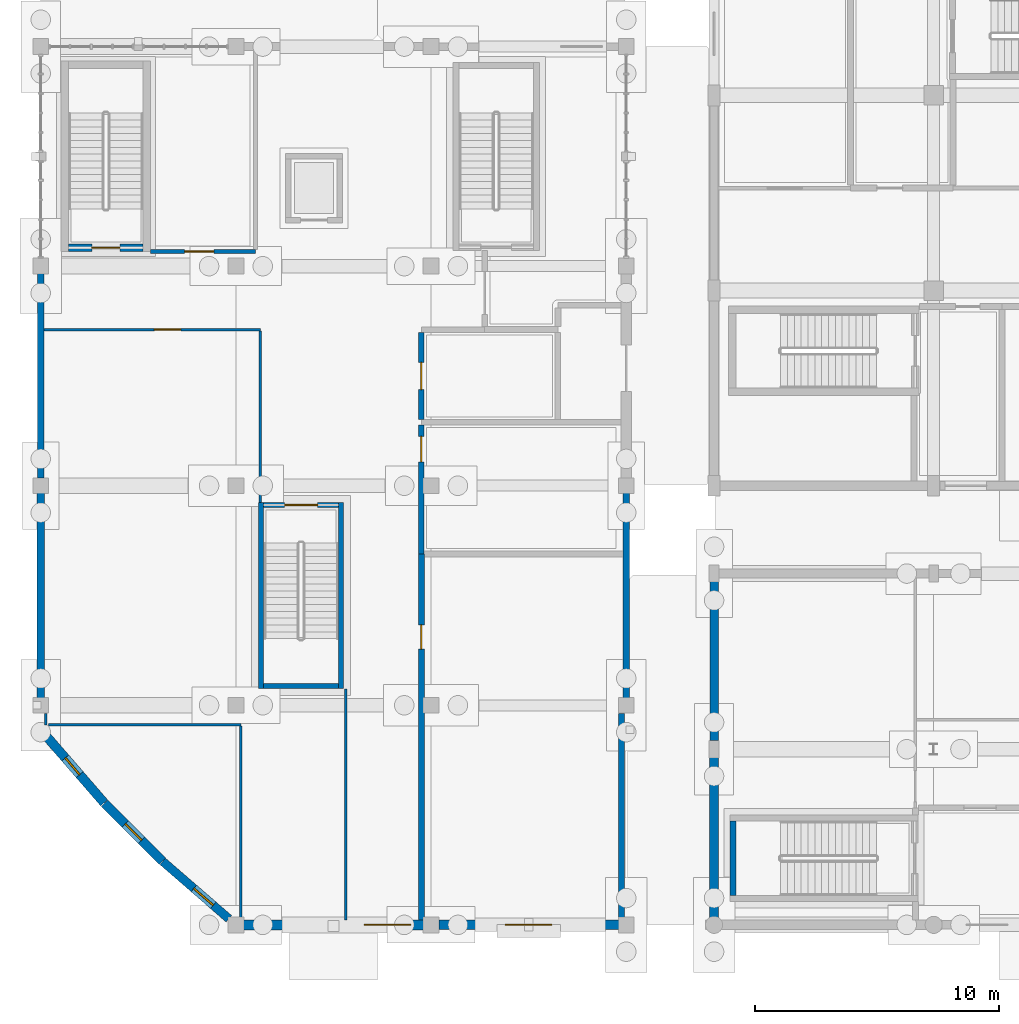
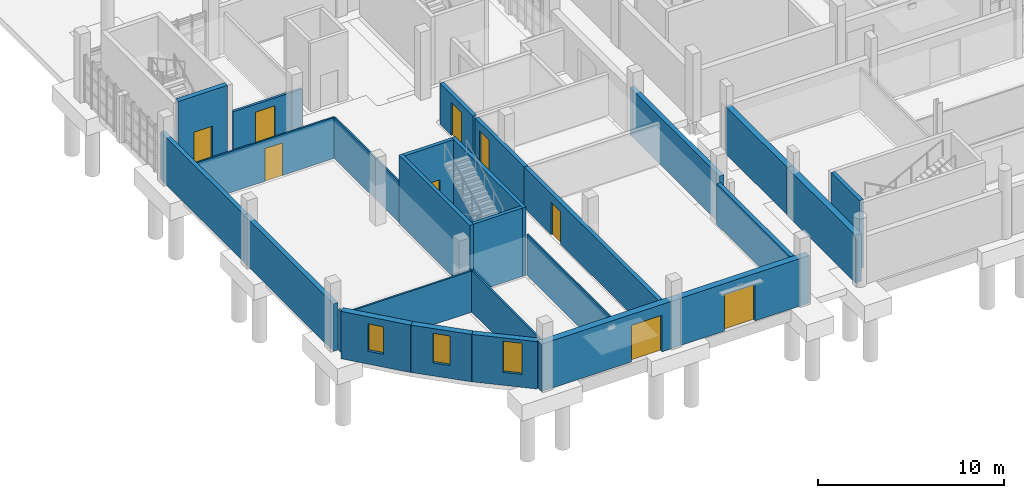
# One storey, part 41 of 63: 27 walls, 9 doors, 3 windows, 12 openings.
"""IFC4 building model written with IfcOpenShell, lengths in metres."""

from ifc_helpers import new_model, si_unit, direction, frame, frame_2d, origin, place, context, subcontext, project, spatial, rectangle, extrude, material, layer, layer_set, type_object, element, fill, save


model = new_model("IFC4")

# Units and contexts
model_context = context("Model", 3, precision=1e-05, world=origin(), true_north=direction((0.0, 1.0)))
body_context = subcontext(model_context, "Body", "Model", "MODEL_VIEW")
ifc_project = project(units=[si_unit("LENGTHUNIT", "METRE"), si_unit("AREAUNIT", "SQUARE_METRE"), si_unit("VOLUMEUNIT", "CUBIC_METRE"), si_unit("PLANEANGLEUNIT", "RADIAN"), si_unit("MASSUNIT", "GRAM", prefix="KILO")], contexts=[model_context])

# Site, building, storey
site_placement = place(None, origin())
site = spatial("IfcSite", under=ifc_project, at=site_placement, CompositionType="ELEMENT")
building_placement = place(site_placement, origin())
building = spatial("IfcBuilding", under=site, at=building_placement, Name="Serraforn Aerial Cableway Station", CompositionType="ELEMENT")
storey_placement = place(building_placement, origin())
storey = spatial("IfcBuildingStorey", under=building, at=storey_placement, Name="L00", CompositionType="ELEMENT", Elevation=0.0)

# Wall, opening, door
ifc_material_1 = material(Name="Concrete C35/45", Category="concrete")
ifc_layer_1 = layer(ifc_material_1, 0.219970703125)
ifc_layer_set_1 = layer_set([ifc_layer_1], Name="Concrete C35/45")
wall_type_1 = type_object("IfcWallType", Name="WL-COR-220", PredefinedType="SHEAR", material=ifc_layer_set_1)
wall_1_placement = place(storey_placement, frame((9.139892578125, 17.2099609375, 0.0), z_axis=(0.0, 0.0, 1.0), x_axis=(1.0, 0.0, 0.0)))
wall_1 = element("IfcWall", 1, at=wall_1_placement, inside=storey, type_object=wall_type_1, Name="Stair Core Shear Wall WCOR-ST-12-L00-NEAR", PredefinedType="SHEAR", context=body_context, shape_type="SweptSolid", body=[
    extrude(rectangle(XDim=3.06005859375, YDim=0.219970703125, at=frame_2d((1.530029296875, 0.0))), origin(), (0.0, 0.0, 1.0), 4.5),
])
opening_1_placement = place(wall_1_placement, frame((0.85498046875, 0.0, 0.0)))
opening_1 = element("IfcOpeningElement", 2, at=opening_1_placement, cuts=wall_1, Name="Opening D-S09", PredefinedType="OPENING", context=body_context, shape_type="SweptSolid", body=[
    extrude(rectangle(XDim=1.35009765625, YDim=2.14990234375, at=frame_2d((0.675048828125, 1.074951171875))), frame((0.0, 0.119873046875, 0.0), z_axis=(0.0, -1.0, 0.0), x_axis=(1.0, 0.0, 0.0)), (0.0, 0.0, 1.0), 0.239990234375),
])
ifc_material_2 = material(Name="Self-closing steel stair fire door", Category="steel")
door_type_1 = type_object("IfcDoorType", Name="DR-STAIR-135", OperationType="NOTDEFINED", PredefinedType="DOOR", material=ifc_material_2)
door_1_placement = place(opening_1_placement, origin())
door_1 = element("IfcDoor", 3, at=door_1_placement, inside=storey, type_object=door_type_1, Name="Protected Stair Door D-S09", OperationType="SINGLE_SWING_LEFT", OverallHeight=2.14990234375, OverallWidth=1.35009765625, PredefinedType="DOOR", context=body_context, shape_type="SweptSolid", body=[
    extrude(rectangle(XDim=1.35009765625, YDim=2.14990234375, at=frame_2d((0.675048828125, 1.074951171875))), frame((0.0, 0.02490234375, 0.0), z_axis=(0.0, -1.0, 0.0), x_axis=(1.0, 0.0, 0.0)), (0.0, 0.0, 1.0), 0.050048828125),
])
fill(opening_1, door_1)

# Walls
wall_2_placement = place(storey_placement, frame((9.139892578125, 9.7900390625, 0.0), z_axis=(0.0, 0.0, 1.0), x_axis=(1.0, 0.0, 0.0)))
element("IfcWall", 4, at=wall_2_placement, inside=storey, type_object=wall_type_1, Name="Stair Core Shear Wall WCOR-ST-12-L00-FAR", PredefinedType="SHEAR", context=body_context, shape_type="SweptSolid", body=[
    extrude(rectangle(XDim=3.06005859375, YDim=0.219970703125, at=frame_2d((1.530029296875, 0.0))), origin(), (0.0, 0.0, 1.0), 4.5),
])
for number, where, z_axis, x_axis, name in (
    (5, (9.030029296875, 17.320068359375, 0.0), (0.0, 0.0, 1.0), (0.0, -1.0, 0.0), "Stair Core Shear Wall WCOR-ST-12-L00-L"),
    (6, (12.31005859375, 17.320068359375, 0.0), (0.0, 0.0, 1.0), (0.0, -1.0, 0.0), "Stair Core Shear Wall WCOR-ST-12-L00-R"),
):
    element("IfcWall", number, at=place(storey_placement, frame(where, z_axis=z_axis, x_axis=x_axis)), inside=storey, type_object=wall_type_1, Name=name, PredefinedType="SHEAR", context=body_context, shape_type="SweptSolid", body=[
        extrude(rectangle(XDim=7.64013671875, YDim=0.219970703125, at=frame_2d((3.820068359375, 0.0))), origin(), (0.0, 0.0, 1.0), 4.5),
    ])
ifc_layer_2 = layer(ifc_material_1, 0.25)
ifc_layer_set_2 = layer_set([ifc_layer_2], Name="Concrete C35/45")
wall_type_2 = type_object("IfcWallType", Name="WL-COR-250", PredefinedType="SHEAR", material=ifc_layer_set_2)
wall_3_placement = place(storey_placement, frame((28.375, 4.260009765625, 0.0), z_axis=(0.0, 0.0, 1.0), x_axis=(0.0, -1.0, 0.0)))
element("IfcWall", 7, at=wall_3_placement, inside=storey, type_object=wall_type_2, Name="Stair Core Shear Wall WCOR-ST-06-L00-FAR", PredefinedType="SHEAR", context=body_context, shape_type="SweptSolid", body=[
    extrude(rectangle(XDim=3.06005859375, YDim=0.25, at=frame_2d((1.530029296875, 0.0))), origin(), (0.0, 0.0, 1.0), 4.5),
])

# Wall, opening, door
ifc_layer_3 = layer(ifc_material_1, 0.300048828125)
ifc_layer_set_3 = layer_set([ifc_layer_3], Name="Concrete C35/45")
wall_type_3 = type_object("IfcWallType", Name="WL-COR-300", PredefinedType="SHEAR", material=ifc_layer_set_3)
wall_4_placement = place(storey_placement, frame((4.199951171875, 27.75, 0.0), z_axis=(0.0, 0.0, 1.0), x_axis=(-1.0, 0.0, 0.0)))
wall_4 = element("IfcWall", 8, at=wall_4_placement, inside=storey, type_object=wall_type_3, Name="Stair Core Shear Wall WCOR-ST-01-L00-NEAR", PredefinedType="SHEAR", context=body_context, shape_type="SweptSolid", body=[
    extrude(rectangle(XDim=3.06005859375, YDim=0.300048828125, at=frame_2d((1.530029296875, 0.0))), origin(), (0.0, 0.0, 1.0), 4.5),
])
opening_2_placement = place(wall_4_placement, frame((0.955078125, 0.0, 0.0)))
opening_2 = element("IfcOpeningElement", 9, at=opening_2_placement, cuts=wall_4, Name="Opening D-S01", PredefinedType="OPENING", context=body_context, shape_type="SweptSolid", body=[
    extrude(rectangle(XDim=1.14990234375, YDim=2.14990234375, at=frame_2d((0.574951171875, 1.074951171875))), frame((0.0, 0.159912109375, 0.0), z_axis=(0.0, -1.0, 0.0), x_axis=(1.0, 0.0, 0.0)), (0.0, 0.0, 1.0), 0.320068359375),
])
door_type_2 = type_object("IfcDoorType", Name="DR-STAIR-115", OperationType="NOTDEFINED", PredefinedType="DOOR", material=ifc_material_2)
door_2_placement = place(opening_2_placement, origin())
door_2 = element("IfcDoor", 10, at=door_2_placement, inside=storey, type_object=door_type_2, Name="Protected Stair Door D-S01", OperationType="SINGLE_SWING_LEFT", OverallHeight=2.14990234375, OverallWidth=1.14990234375, PredefinedType="DOOR", context=body_context, shape_type="SweptSolid", body=[
    extrude(rectangle(XDim=1.14990234375, YDim=2.14990234375, at=frame_2d((0.574951171875, 1.074951171875))), frame((0.0, 0.02490234375, 0.0), z_axis=(0.0, -1.0, 0.0), x_axis=(1.0, 0.0, 0.0)), (0.0, 0.0, 1.0), 0.050048828125),
])
fill(opening_2, door_2)

# Walls
ifc_material_3 = material(Name="Insulated stuccoed terracotta facade", Category="masonry")
ifc_layer_4 = layer(ifc_material_3, 0.260009765625)
ifc_layer_set_4 = layer_set([ifc_layer_4], Name="Insulated stuccoed terracotta facade")
wall_type_4 = type_object("IfcWallType", Name="WL-EXT-260", PredefinedType="SOLIDWALL", material=ifc_layer_set_4)
wall_5_placement = place(storey_placement, frame((0.0, 27.324951171875, 0.0), z_axis=(0.0, 0.0, 1.0), x_axis=(0.0, -1.0, 0.0)))
element("IfcWall", 11, at=wall_5_placement, inside=storey, type_object=wall_type_4, Name="Exterior Wall WEXT-W-L00-W3", PredefinedType="SOLIDWALL", context=body_context, shape_type="SweptSolid", body=[
    extrude(rectangle(XDim=8.9990234375, YDim=0.260009765625, at=frame_2d((4.49951171875, 0.0))), origin(), (0.0, 0.0, 1.0), 3.1201171875),
])
ifc_layer_5 = layer(ifc_material_3, 0.27490234375)
ifc_layer_set_5 = layer_set([ifc_layer_5], Name="Insulated stuccoed terracotta facade")
wall_type_5 = type_object("IfcWallType", Name="WL-EXT-275", PredefinedType="SOLIDWALL", material=ifc_layer_set_5)
wall_6_placement = place(storey_placement, frame((24.0, 8.675048828125, 0.0), z_axis=(0.0, 0.0, 1.0), x_axis=(0.0, 1.0, 0.0)))
element("IfcWall", 12, at=wall_6_placement, inside=storey, type_object=wall_type_5, Name="Exterior Wall WEXT-W-L00-E2", PredefinedType="SOLIDWALL", context=body_context, shape_type="SweptSolid", body=[
    extrude(rectangle(XDim=9.64990234375, YDim=0.27490234375, at=frame_2d((4.824951171875, 0.0))), origin(), (0.0, 0.0, 1.0), 3.1201171875),
])
ifc_material_4 = material(Name="Insulated fluted limestone rainscreen", Category="masonry")
ifc_layer_6 = layer(ifc_material_4, 0.2900390625)
ifc_layer_set_6 = layer_set([ifc_layer_6], Name="Insulated fluted limestone rainscreen")
wall_type_6 = type_object("IfcWallType", Name="WL-EXT-290", PredefinedType="SOLIDWALL", material=ifc_layer_set_6)
wall_7_placement = place(storey_placement, frame((0.0, 18.324951171875, 0.0), z_axis=(0.0, 0.0, 1.0), x_axis=(0.0, -1.0, 0.0)))
element("IfcWall", 13, at=wall_7_placement, inside=storey, type_object=wall_type_6, Name="Exterior Wall WEXT-W-L00-W2", PredefinedType="SOLIDWALL", context=body_context, shape_type="SweptSolid", body=[
    extrude(rectangle(XDim=9.64990234375, YDim=0.2900390625, at=frame_2d((4.824951171875, 0.0))), origin(), (0.0, 0.0, 1.0), 3.1201171875),
])

# Wall, opening, window
ifc_material_5 = material(Name="Montjuic sandstone ashlar masonry", Category="masonry")
ifc_layer_7 = layer(ifc_material_5, 0.35009765625)
ifc_layer_set_7 = layer_set([ifc_layer_7], Name="Montjuic sandstone ashlar masonry")
wall_type_7 = type_object("IfcWallType", Name="WL-EXT-350", PredefinedType="SOLIDWALL", material=ifc_layer_set_7)
wall_8_placement = place(storey_placement, frame((5.0, 2.60009765625, 0.0), z_axis=(0.0, 0.0, 1.0), x_axis=(0.755671119025, -0.654951265264, 0.0)))
wall_8 = element("IfcWall", 14, at=wall_8_placement, inside=storey, type_object=wall_type_7, Name="Exterior Wall WEXT-W-L00-CH3", PredefinedType="SOLIDWALL", context=body_context, shape_type="SweptSolid", body=[
    extrude(rectangle(XDim=3.58740234375, YDim=0.35009765625, at=frame_2d((1.793701171875, 0.0))), origin(), (0.0, 0.0, 1.0), 3.1201171875),
])
opening_3_placement = place(wall_8_placement, frame((1.689208984375, 0.0, 0.85009765625)))
opening_3 = element("IfcOpeningElement", 15, at=opening_3_placement, cuts=wall_8, Name="Opening W-03", PredefinedType="OPENING", context=body_context, shape_type="SweptSolid", body=[
    extrude(rectangle(XDim=1.050048828125, YDim=2.050048828125, at=frame_2d((0.52490234375, 1.02490234375))), frame((0.0, 0.18505859375, 0.0), z_axis=(0.0, -1.0, 0.0), x_axis=(1.0, 0.0, 0.0)), (0.0, 0.0, 1.0), 0.3701171875),
])
ifc_material_6 = material(Name="Anodised bronze aluminium and low-E double glazing", Category="aluminium")
window_type_1 = type_object("IfcWindowType", Name="WIN-ART-03", PartitioningType="SINGLE_PANEL", PredefinedType="WINDOW", material=ifc_material_6)
window_1_placement = place(opening_3_placement, origin())
window_1 = element("IfcWindow", 16, at=window_1_placement, inside=storey, type_object=window_type_1, Name="Art Deco Window WEXT-W-L00-CH3-W1", OverallHeight=2.050048828125, OverallWidth=1.050048828125, PartitioningType="SINGLE_PANEL", PredefinedType="WINDOW", context=body_context, shape_type="SweptSolid", body=[
    extrude(rectangle(XDim=1.050048828125, YDim=2.050048828125, at=frame_2d((0.52490234375, 1.02490234375))), frame((0.0, 0.030029296875, 0.0), z_axis=(0.0, -1.0, 0.0), x_axis=(1.0, 0.0, 0.0)), (0.0, 0.0, 1.0), 0.06005859375),
])
fill(opening_3, window_1)

# Wall
wall_9_placement = place(storey_placement, frame((27.60009765625, 14.216552734375, 0.0), z_axis=(0.0, 0.0, 1.0), x_axis=(0.0, -1.0, 0.0)))
element("IfcWall", 17, at=wall_9_placement, inside=storey, type_object=wall_type_7, Name="Exterior Wall WEXT-CF-L00-W2", PredefinedType="SOLIDWALL", context=body_context, shape_type="SweptSolid", body=[
    extrude(rectangle(XDim=6.66552734375, YDim=0.35009765625, at=frame_2d((3.332763671875, 0.0))), origin(), (0.0, 0.0, 1.0), 3.1201171875),
])

# Wall, opening, window
ifc_layer_8 = layer(ifc_material_5, 0.364990234375)
ifc_layer_set_8 = layer_set([ifc_layer_8], Name="Montjuic sandstone ashlar masonry")
wall_type_8 = type_object("IfcWallType", Name="WL-EXT-365", PredefinedType="SOLIDWALL", material=ifc_layer_set_8)
wall_10_placement = place(storey_placement, frame((2.60986328125, 4.989990234375, 0.0), z_axis=(0.0, 0.0, 1.0), x_axis=(0.707143040284, -0.70707052023, 0.0)))
wall_10 = element("IfcWall", 18, at=wall_10_placement, inside=storey, type_object=wall_type_8, Name="Exterior Wall WEXT-W-L00-CH2", PredefinedType="SOLIDWALL", context=body_context, shape_type="SweptSolid", body=[
    extrude(rectangle(XDim=3.366455078125, YDim=0.364990234375, at=frame_2d((1.68310546875, 0.0))), origin(), (0.0, 0.0, 1.0), 3.1201171875),
])
opening_4_placement = place(wall_10_placement, frame((1.2080078125, 0.0, 0.85009765625)))
opening_4 = element("IfcOpeningElement", 19, at=opening_4_placement, cuts=wall_10, Name="Opening W-02", PredefinedType="OPENING", context=body_context, shape_type="SweptSolid", body=[
    extrude(rectangle(XDim=0.949951171875, YDim=1.949951171875, at=frame_2d((0.47509765625, 0.97509765625))), frame((0.0, 0.1923828125, 0.0), z_axis=(0.0, -1.0, 0.0), x_axis=(1.0, 0.0, 0.0)), (0.0, 0.0, 1.0), 0.385009765625),
])
window_type_2 = type_object("IfcWindowType", Name="WIN-ART-02", PartitioningType="SINGLE_PANEL", PredefinedType="WINDOW", material=ifc_material_6)
window_2_placement = place(opening_4_placement, origin())
window_2 = element("IfcWindow", 20, at=window_2_placement, inside=storey, type_object=window_type_2, Name="Art Deco Window WEXT-W-L00-CH2-W1", OverallHeight=1.949951171875, OverallWidth=0.949951171875, PartitioningType="SINGLE_PANEL", PredefinedType="WINDOW", context=body_context, shape_type="SweptSolid", body=[
    extrude(rectangle(XDim=0.949951171875, YDim=1.949951171875, at=frame_2d((0.47509765625, 0.97509765625))), frame((0.0, 0.030029296875, 0.0), z_axis=(0.0, -1.0, 0.0), x_axis=(1.0, 0.0, 0.0)), (0.0, 0.0, 1.0), 0.06005859375),
])
fill(opening_4, window_2)

ifc_layer_9 = layer(ifc_material_5, 0.3798828125)
ifc_layer_set_9 = layer_set([ifc_layer_9], Name="Montjuic sandstone ashlar masonry")
wall_type_9 = type_object("IfcWallType", Name="WL-EXT-380", PredefinedType="SOLIDWALL", material=ifc_layer_set_9)
wall_11_placement = place(storey_placement, frame((0.0, 8.0, 0.0), z_axis=(0.0, 0.0, 1.0), x_axis=(0.654944585876, -0.755676908098, 0.0)))
wall_11 = element("IfcWall", 21, at=wall_11_placement, inside=storey, type_object=wall_type_9, Name="Exterior Wall WEXT-W-L00-CH1", PredefinedType="SOLIDWALL", context=body_context, shape_type="SweptSolid", body=[
    extrude(rectangle(XDim=3.969970703125, YDim=0.3798828125, at=frame_2d((1.98486328125, 0.0))), origin(), (0.0, 0.0, 1.0), 3.1201171875),
])
opening_5_placement = place(wall_11_placement, frame((1.534912109375, 0.0, 0.85009765625)))
opening_5 = element("IfcOpeningElement", 22, at=opening_5_placement, cuts=wall_11, Name="Opening W-01", PredefinedType="OPENING", context=body_context, shape_type="SweptSolid", body=[
    extrude(rectangle(XDim=0.89990234375, YDim=1.800048828125, at=frame_2d((0.449951171875, 0.89990234375))), frame((0.0, 0.199951171875, 0.0), z_axis=(0.0, -1.0, 0.0), x_axis=(1.0, 0.0, 0.0)), (0.0, 0.0, 1.0), 0.39990234375),
])
window_type_3 = type_object("IfcWindowType", Name="WIN-ART-01", PartitioningType="SINGLE_PANEL", PredefinedType="WINDOW", material=ifc_material_6)
window_3_placement = place(opening_5_placement, origin())
window_3 = element("IfcWindow", 23, at=window_3_placement, inside=storey, type_object=window_type_3, Name="Art Deco Window WEXT-W-L00-CH1-W1", OverallHeight=1.800048828125, OverallWidth=0.89990234375, PartitioningType="SINGLE_PANEL", PredefinedType="WINDOW", context=body_context, shape_type="SweptSolid", body=[
    extrude(rectangle(XDim=0.89990234375, YDim=1.800048828125, at=frame_2d((0.449951171875, 0.89990234375))), frame((0.0, 0.030029296875, 0.0), z_axis=(0.0, -1.0, 0.0), x_axis=(1.0, 0.0, 0.0)), (0.0, 0.0, 1.0), 0.06005859375),
])
fill(opening_5, window_3)

# Wall
wall_12_placement = place(storey_placement, frame((27.60009765625, 7.550048828125, 0.0), z_axis=(0.0, 0.0, 1.0), x_axis=(0.0, -1.0, 0.0)))
element("IfcWall", 24, at=wall_12_placement, inside=storey, type_object=wall_type_9, Name="Exterior Wall WEXT-CF-L00-W1", PredefinedType="SOLIDWALL", context=body_context, shape_type="SweptSolid", body=[
    extrude(rectangle(XDim=7.359130859375, YDim=0.3798828125, at=frame_2d((3.6796875, 0.0))), origin(), (0.0, 0.0, 1.0), 3.1201171875),
])

# Wall, opening, door
ifc_layer_10 = layer(ifc_material_5, 0.39990234375)
ifc_layer_set_10 = layer_set([ifc_layer_10], Name="Montjuic sandstone ashlar masonry")
wall_type_10 = type_object("IfcWallType", Name="WL-EXT-400", PredefinedType="SOLIDWALL", material=ifc_layer_set_10)
wall_13_placement = place(storey_placement, frame((16.325927734375, 0.0, 0.0), z_axis=(0.0, 0.0, 1.0), x_axis=(1.0, 0.0, 0.0)))
wall_13 = element("IfcWall", 25, at=wall_13_placement, inside=storey, type_object=wall_type_10, Name="Exterior Wall WEXT-W-L00-S3", PredefinedType="SOLIDWALL", context=body_context, shape_type="SweptSolid", body=[
    extrude(rectangle(XDim=7.9990234375, YDim=0.39990234375, at=frame_2d((3.99951171875, 0.0))), origin(), (0.0, 0.0, 1.0), 3.1201171875),
])
opening_6_placement = place(wall_13_placement, frame((2.72412109375, 0.0, 0.0)))
opening_6 = element("IfcOpeningElement", 26, at=opening_6_placement, cuts=wall_13, Name="Opening DE-01", PredefinedType="OPENING", context=body_context, shape_type="SweptSolid", body=[
    extrude(rectangle(XDim=1.89990234375, YDim=2.39990234375, at=frame_2d((0.949951171875, 1.199951171875))), frame((0.0, 0.2099609375, 0.0), z_axis=(0.0, -1.0, 0.0), x_axis=(1.0, 0.0, 0.0)), (0.0, 0.0, 1.0), 0.419921875),
])
ifc_material_7 = material(Name="Anodised bronze thermally broken aluminium and laminated glass", Category="aluminium")
door_type_3 = type_object("IfcDoorType", Name="DR-EXT-190", OperationType="DOUBLE_SWING_LEFT", PredefinedType="DOOR", material=ifc_material_7)
door_3_placement = place(opening_6_placement, origin())
door_3 = element("IfcDoor", 27, at=door_3_placement, inside=storey, type_object=door_type_3, Name="Exterior Door DE-W-L00-S2", OperationType="DOUBLE_SWING_LEFT", OverallHeight=2.39990234375, OverallWidth=1.89990234375, PredefinedType="DOOR", context=body_context, shape_type="SweptSolid", body=[
    extrude(rectangle(XDim=1.89990234375, YDim=2.39990234375, at=frame_2d((0.949951171875, 1.199951171875))), frame((0.0, 0.02490234375, 0.0), z_axis=(0.0, -1.0, 0.0), x_axis=(1.0, 0.0, 0.0)), (0.0, 0.0, 1.0), 0.050048828125),
])
fill(opening_6, door_3)

ifc_layer_11 = layer(ifc_material_5, 0.4150390625)
ifc_layer_set_11 = layer_set([ifc_layer_11], Name="Montjuic sandstone ashlar masonry")
wall_type_11 = type_object("IfcWallType", Name="WL-EXT-415", PredefinedType="SOLIDWALL", material=ifc_layer_set_11)
wall_14_placement = place(storey_placement, frame((7.675048828125, 0.0, 0.0), z_axis=(0.0, 0.0, 1.0), x_axis=(1.0, 0.0, 0.0)))
wall_14 = element("IfcWall", 28, at=wall_14_placement, inside=storey, type_object=wall_type_11, Name="Exterior Wall WEXT-W-L00-S2", PredefinedType="SOLIDWALL", context=body_context, shape_type="SweptSolid", body=[
    extrude(rectangle(XDim=8.64990234375, YDim=0.4150390625, at=frame_2d((4.324951171875, 0.0))), origin(), (0.0, 0.0, 1.0), 3.1201171875),
])
opening_7_placement = place(wall_14_placement, frame((5.58935546875, 0.0, 0.0)))
opening_7 = element("IfcOpeningElement", 29, at=opening_7_placement, cuts=wall_14, Name="Opening DE-01", PredefinedType="OPENING", context=body_context, shape_type="SweptSolid", body=[
    extrude(rectangle(XDim=1.89990234375, YDim=2.39990234375, at=frame_2d((0.949951171875, 1.199951171875))), frame((0.0, 0.217529296875, 0.0), z_axis=(0.0, -1.0, 0.0), x_axis=(1.0, 0.0, 0.0)), (0.0, 0.0, 1.0), 0.43505859375),
])
door_4_placement = place(opening_7_placement, origin())
door_4 = element("IfcDoor", 30, at=door_4_placement, inside=storey, type_object=door_type_3, Name="Exterior Door DE-W-L00-S1", OperationType="DOUBLE_SWING_LEFT", OverallHeight=2.39990234375, OverallWidth=1.89990234375, PredefinedType="DOOR", context=body_context, shape_type="SweptSolid", body=[
    extrude(rectangle(XDim=1.89990234375, YDim=2.39990234375, at=frame_2d((0.949951171875, 1.199951171875))), frame((0.0, 0.02490234375, 0.0), z_axis=(0.0, -1.0, 0.0), x_axis=(1.0, 0.0, 0.0)), (0.0, 0.0, 1.0), 0.050048828125),
])
fill(opening_7, door_4)

ifc_material_8 = material(Name="Concrete C30/37", Category="concrete")
ifc_layer_12 = layer(ifc_material_8, 0.241943359375)
ifc_layer_set_12 = layer_set([ifc_layer_12], Name="Concrete C30/37")
wall_type_12 = type_object("IfcWallType", Name="WL-FIR-242", PredefinedType="SOLIDWALL", material=ifc_layer_set_12)
wall_15_placement = place(storey_placement, frame((15.60009765625, 0.20849609375, 0.0), z_axis=(0.0, 0.0, 1.0), x_axis=(0.0, 1.0, 0.0)))
wall_15 = element("IfcWall", 31, at=wall_15_placement, inside=storey, type_object=wall_type_12, Name="Interior Partition WPRT-L00-02-38", PredefinedType="SOLIDWALL", context=body_context, shape_type="SweptSolid", body=[
    extrude(rectangle(XDim=14.991455078125, YDim=0.241943359375, at=frame_2d((7.49560546875, 0.0))), origin(), (0.0, 0.0, 1.0), 2.699951171875),
])
opening_8_placement = place(wall_15_placement, frame((11.091552734375, 0.0, 0.0)))
opening_8 = element("IfcOpeningElement", 32, at=opening_8_placement, cuts=wall_15, Name="Opening DI-010", PredefinedType="OPENING", context=body_context, shape_type="SweptSolid", body=[
    extrude(rectangle(XDim=1.0, YDim=2.14990234375, at=frame_2d((0.5, 1.074951171875))), frame((0.0, 0.130859375, 0.0), z_axis=(0.0, -1.0, 0.0), x_axis=(1.0, 0.0, 0.0)), (0.0, 0.0, 1.0), 0.261962890625),
])
ifc_material_9 = material(Name="Fire-rated oak veneer leaf")
door_type_4 = type_object("IfcDoorType", Name="DR-INT-100", OperationType="NOTDEFINED", PredefinedType="DOOR", material=ifc_material_9)
door_5_placement = place(opening_8_placement, origin())
door_5 = element("IfcDoor", 33, at=door_5_placement, inside=storey, type_object=door_type_4, Name="Room Door DI-010 (L00-02)", OperationType="SINGLE_SWING_LEFT", OverallHeight=2.14990234375, OverallWidth=1.0, PredefinedType="DOOR", context=body_context, shape_type="SweptSolid", body=[
    extrude(rectangle(XDim=1.0, YDim=2.14990234375, at=frame_2d((0.5, 1.074951171875))), frame((0.0, 0.02490234375, 0.0), z_axis=(0.0, -1.0, 0.0), x_axis=(1.0, 0.0, 0.0)), (0.0, 0.0, 1.0), 0.050048828125),
])
fill(opening_8, door_5)

# Wall
wall_16_placement = place(storey_placement, frame((23.800048828125, 8.655029296875, 0.0), z_axis=(0.0, 0.0, 1.0), x_axis=(0.0, -1.0, 0.0)))
element("IfcWall", 34, at=wall_16_placement, inside=storey, type_object=wall_type_12, Name="Interior Partition WPRT-L00-02-40", PredefinedType="SOLIDWALL", context=body_context, shape_type="SweptSolid", body=[
    extrude(rectangle(XDim=8.4541015625, YDim=0.241943359375, at=frame_2d((4.22705078125, 0.0))), origin(), (0.0, 0.0, 1.0), 2.699951171875),
])

# Wall, opening, door
ifc_material_10 = material(Name="Sanitary service chase partition")
ifc_layer_13 = layer(ifc_material_10, 0.22802734375)
ifc_layer_set_13 = layer_set([ifc_layer_13], Name="Sanitary service chase partition")
wall_type_13 = type_object("IfcWallType", Name="WL-PLM-228", PredefinedType="PLUMBINGWALL", material=ifc_layer_set_13)
wall_17_placement = place(storey_placement, frame((15.60009765625, 15.199951171875, 0.0), z_axis=(0.0, 0.0, 1.0), x_axis=(0.0, 1.0, 0.0)))
wall_17 = element("IfcWall", 35, at=wall_17_placement, inside=storey, type_object=wall_type_13, Name="Interior Partition WPRT-L00-03-41", PredefinedType="PLUMBINGWALL", context=body_context, shape_type="SweptSolid", body=[
    extrude(rectangle(XDim=5.28515625, YDim=0.22802734375, at=frame_2d((2.642578125, 0.0))), origin(), (0.0, 0.0, 1.0), 2.699951171875),
])
opening_9_placement = place(wall_17_placement, frame((3.77490234375, 0.0, 0.0)))
opening_9 = element("IfcOpeningElement", 36, at=opening_9_placement, cuts=wall_17, Name="Opening DI-011", PredefinedType="OPENING", context=body_context, shape_type="SweptSolid", body=[
    extrude(rectangle(XDim=1.050048828125, YDim=2.14990234375, at=frame_2d((0.52490234375, 1.074951171875))), frame((0.0, 0.1240234375, 0.0), z_axis=(0.0, -1.0, 0.0), x_axis=(1.0, 0.0, 0.0)), (0.0, 0.0, 1.0), 0.248046875),
])
door_type_5 = type_object("IfcDoorType", Name="DR-INT-105", OperationType="NOTDEFINED", PredefinedType="DOOR", material=ifc_material_9)
door_6_placement = place(opening_9_placement, origin())
door_6 = element("IfcDoor", 37, at=door_6_placement, inside=storey, type_object=door_type_5, Name="Room Door DI-011 (L00-03)", OperationType="SINGLE_SWING_RIGHT", OverallHeight=2.14990234375, OverallWidth=1.050048828125, PredefinedType="DOOR", context=body_context, shape_type="SweptSolid", body=[
    extrude(rectangle(XDim=1.050048828125, YDim=2.14990234375, at=frame_2d((0.52490234375, 1.074951171875))), frame((0.0, 0.02490234375, 0.0), z_axis=(0.0, -1.0, 0.0), x_axis=(1.0, 0.0, 0.0)), (0.0, 0.0, 1.0), 0.050048828125),
])
fill(opening_9, door_6)

wall_18_placement = place(storey_placement, frame((15.60009765625, 20.715087890625, 0.0), z_axis=(0.0, 0.0, 1.0), x_axis=(0.0, 1.0, 0.0)))
wall_18 = element("IfcWall", 38, at=wall_18_placement, inside=storey, type_object=wall_type_13, Name="Interior Partition WPRT-L00-04-43", PredefinedType="PLUMBINGWALL", context=body_context, shape_type="SweptSolid", body=[
    extrude(rectangle(XDim=3.56982421875, YDim=0.22802734375, at=frame_2d((1.784912109375, 0.0))), origin(), (0.0, 0.0, 1.0), 2.699951171875),
])
opening_10_placement = place(wall_18_placement, frame((1.22509765625, 0.0, 0.0)))
opening_10 = element("IfcOpeningElement", 39, at=opening_10_placement, cuts=wall_18, Name="Opening DI-012", PredefinedType="OPENING", context=body_context, shape_type="SweptSolid", body=[
    extrude(rectangle(XDim=1.1201171875, YDim=2.179931640625, at=frame_2d((0.56005859375, 1.08984375))), frame((0.0, 0.1240234375, 0.0), z_axis=(0.0, -1.0, 0.0), x_axis=(1.0, 0.0, 0.0)), (0.0, 0.0, 1.0), 0.248046875),
])
ifc_material_11 = material(Name="Fire-rated steel-core acoustic leaf", Category="steel")
door_type_6 = type_object("IfcDoorType", Name="DR-INT-112", OperationType="NOTDEFINED", PredefinedType="DOOR", material=ifc_material_11)
door_7_placement = place(opening_10_placement, origin())
door_7 = element("IfcDoor", 40, at=door_7_placement, inside=storey, type_object=door_type_6, Name="Room Door DI-012 (L00-04)", OperationType="SINGLE_SWING_LEFT", OverallHeight=2.179931640625, OverallWidth=1.1201171875, PredefinedType="DOOR", context=body_context, shape_type="SweptSolid", body=[
    extrude(rectangle(XDim=1.1201171875, YDim=2.179931640625, at=frame_2d((0.56005859375, 1.08984375))), frame((0.0, 0.02490234375, 0.0), z_axis=(0.0, -1.0, 0.0), x_axis=(1.0, 0.0, 0.0)), (0.0, 0.0, 1.0), 0.050048828125),
])
fill(opening_10, door_7)

# Walls
ifc_material_12 = material(Name="Glazed acoustic timber-framed partition", Category="wood")
ifc_layer_14 = layer(ifc_material_12, 0.092041015625)
ifc_layer_set_14 = layer_set([ifc_layer_14], Name="Glazed acoustic timber-framed partition")
wall_type_14 = type_object("IfcWallType", Name="WL-PRT-092", PredefinedType="PARTITIONING", material=ifc_layer_set_14)
wall_19_placement = place(storey_placement, frame((12.5, 9.659912109375, 0.0), z_axis=(0.0, 0.0, 1.0), x_axis=(0.0, -1.0, 0.0)))
element("IfcWall", 41, at=wall_19_placement, inside=storey, type_object=wall_type_14, Name="Interior Partition WPRT-L00-01-37", PredefinedType="PARTITIONING", context=body_context, shape_type="SweptSolid", body=[
    extrude(rectangle(XDim=9.451416015625, YDim=0.092041015625, at=frame_2d((4.7255859375, 0.0))), origin(), (0.0, 0.0, 1.0), 2.699951171875),
])
ifc_layer_15 = layer(ifc_material_12, 0.097900390625)
ifc_layer_set_15 = layer_set([ifc_layer_15], Name="Glazed acoustic timber-framed partition")
wall_type_15 = type_object("IfcWallType", Name="WL-PRT-098", PredefinedType="PARTITIONING", material=ifc_layer_set_15)
wall_20_placement = place(storey_placement, frame((9.0, 24.347900390625, 0.0), z_axis=(0.0, 0.0, 1.0), x_axis=(0.0, -1.0, 0.0)))
element("IfcWall", 42, at=wall_20_placement, inside=storey, type_object=wall_type_15, Name="Interior Partition WPRT-L00-01-36", PredefinedType="PARTITIONING", context=body_context, shape_type="SweptSolid", body=[
    extrude(rectangle(XDim=7.02685546875, YDim=0.097900390625, at=frame_2d((3.513427734375, 0.0))), origin(), (0.0, 0.0, 1.0), 2.699951171875),
])

# Wall, opening, door
ifc_layer_16 = layer(ifc_material_12, 0.10205078125)
ifc_layer_set_16 = layer_set([ifc_layer_16], Name="Glazed acoustic timber-framed partition")
wall_type_16 = type_object("IfcWallType", Name="WL-PRT-102", PredefinedType="PARTITIONING", material=ifc_layer_set_16)
wall_21_placement = place(storey_placement, frame((0.131103515625, 24.39990234375, 0.0), z_axis=(0.0, 0.0, 1.0), x_axis=(1.0, 0.0, 0.0)))
wall_21 = element("IfcWall", 43, at=wall_21_placement, inside=storey, type_object=wall_type_16, Name="Interior Partition WPRT-L00-01-35", PredefinedType="PARTITIONING", context=body_context, shape_type="SweptSolid", body=[
    extrude(rectangle(XDim=8.868896484375, YDim=0.10205078125, at=frame_2d((4.4345703125, 0.0))), origin(), (0.0, 0.0, 1.0), 2.699951171875),
])
opening_11_placement = place(wall_21_placement, frame((4.529052734375, 0.0, 0.0)))
opening_11 = element("IfcOpeningElement", 44, at=opening_11_placement, cuts=wall_21, Name="Opening DI-009", PredefinedType="OPENING", context=body_context, shape_type="SweptSolid", body=[
    extrude(rectangle(XDim=1.080078125, YDim=2.14990234375, at=frame_2d((0.5400390625, 1.074951171875))), frame((0.0, 0.06103515625, 0.0), z_axis=(0.0, -1.0, 0.0), x_axis=(1.0, 0.0, 0.0)), (0.0, 0.0, 1.0), 0.1220703125),
])
ifc_material_13 = material(Name="Timber acoustic veneer leaf", Category="wood")
door_type_7 = type_object("IfcDoorType", Name="DR-INT-108U", OperationType="NOTDEFINED", PredefinedType="DOOR", material=ifc_material_13)
door_8_placement = place(opening_11_placement, origin())
door_8 = element("IfcDoor", 45, at=door_8_placement, inside=storey, type_object=door_type_7, Name="Room Door DI-009 (L00-01)", OperationType="SINGLE_SWING_RIGHT", OverallHeight=2.14990234375, OverallWidth=1.080078125, PredefinedType="DOOR", context=body_context, shape_type="SweptSolid", body=[
    extrude(rectangle(XDim=1.080078125, YDim=2.14990234375, at=frame_2d((0.5400390625, 1.074951171875))), frame((0.0, 0.02490234375, 0.0), z_axis=(0.0, -1.0, 0.0), x_axis=(1.0, 0.0, 0.0)), (0.0, 0.0, 1.0), 0.050048828125),
])
fill(opening_11, door_8)

# Walls
ifc_layer_17 = layer(ifc_material_12, 0.10595703125)
ifc_layer_set_17 = layer_set([ifc_layer_17], Name="Glazed acoustic timber-framed partition")
wall_type_17 = type_object("IfcWallType", Name="WL-PRT-106", PredefinedType="PARTITIONING", material=ifc_layer_set_17)
wall_22_placement = place(storey_placement, frame((0.199951171875, 8.199951171875, 0.0), z_axis=(0.0, 0.0, 1.0), x_axis=(0.0, 1.0, 0.0)))
element("IfcWall", 46, at=wall_22_placement, inside=storey, type_object=wall_type_17, Name="Interior Partition WPRT-L00-01-34", PredefinedType="PARTITIONING", context=body_context, shape_type="SweptSolid", body=[
    extrude(rectangle(XDim=0.455078125, YDim=0.10595703125, at=frame_2d((0.2275390625, 0.0))), origin(), (0.0, 0.0, 1.0), 2.699951171875),
])
ifc_material_14 = material(Name="Metal-stud gypsum partition")
ifc_layer_18 = layer(ifc_material_14, 0.110107421875)
ifc_layer_set_18 = layer_set([ifc_layer_18], Name="Metal-stud gypsum partition")
wall_type_18 = type_object("IfcWallType", Name="WL-PRT-110", PredefinedType="PARTITIONING", material=ifc_layer_set_18)
wall_23_placement = place(storey_placement, frame((8.199951171875, 8.199951171875, 0.0), z_axis=(0.0, 0.0, 1.0), x_axis=(-1.0, 0.0, 0.0)))
element("IfcWall", 47, at=wall_23_placement, inside=storey, type_object=wall_type_18, Name="Interior Partition WPRT-L00-01-33", PredefinedType="PARTITIONING", context=body_context, shape_type="SweptSolid", body=[
    extrude(rectangle(XDim=7.8779296875, YDim=0.110107421875, at=frame_2d((3.93896484375, 0.0))), origin(), (0.0, 0.0, 1.0), 2.699951171875),
])
ifc_layer_19 = layer(ifc_material_14, 0.114013671875)
ifc_layer_set_19 = layer_set([ifc_layer_19], Name="Metal-stud gypsum partition")
wall_type_19 = type_object("IfcWallType", Name="WL-PRT-114", PredefinedType="PARTITIONING", material=ifc_layer_set_19)
wall_24_placement = place(storey_placement, frame((8.199951171875, 0.20849609375, 0.0), z_axis=(0.0, 0.0, 1.0), x_axis=(0.0, 1.0, 0.0)))
element("IfcWall", 48, at=wall_24_placement, inside=storey, type_object=wall_type_19, Name="Interior Partition WPRT-L00-01-32", PredefinedType="PARTITIONING", context=body_context, shape_type="SweptSolid", body=[
    extrude(rectangle(XDim=7.935546875, YDim=0.114013671875, at=frame_2d((3.9677734375, 0.0))), origin(), (0.0, 0.0, 1.0), 2.699951171875),
])

# Wall, opening, door
ifc_material_15 = material(Name="Acoustic twin-stud gypsum partition")
ifc_layer_20 = layer(ifc_material_15, 0.14990234375)
ifc_layer_set_20 = layer_set([ifc_layer_20], Name="Acoustic twin-stud gypsum partition")
wall_type_20 = type_object("IfcWallType", Name="WL-PRT-150", PredefinedType="PARTITIONING", material=ifc_layer_set_20)
wall_25_placement = place(storey_placement, frame((8.800048828125, 27.60009765625, 0.0), z_axis=(0.0, 0.0, 1.0), x_axis=(-1.0, 0.0, 0.0)))
wall_25 = element("IfcWall", 49, at=wall_25_placement, inside=storey, type_object=wall_type_20, Name="Interior Partition WPRT-L00-19-47", PredefinedType="PARTITIONING", context=body_context, shape_type="SweptSolid", body=[
    extrude(rectangle(XDim=4.299072265625, YDim=0.14990234375, at=frame_2d((2.1494140625, 0.0))), origin(), (0.0, 0.0, 1.0), 2.699951171875),
])
opening_12_placement = place(wall_25_placement, frame((1.699951171875, 0.0, 0.0)))
opening_12 = element("IfcOpeningElement", 50, at=opening_12_placement, cuts=wall_25, Name="Opening DI-013", PredefinedType="OPENING", context=body_context, shape_type="SweptSolid", body=[
    extrude(rectangle(XDim=1.199951171875, YDim=2.179931640625, at=frame_2d((0.60009765625, 1.08984375))), frame((0.0, 0.0849609375, 0.0), z_axis=(0.0, -1.0, 0.0), x_axis=(1.0, 0.0, 0.0)), (0.0, 0.0, 1.0), 0.169921875),
])
door_type_8 = type_object("IfcDoorType", Name="DR-INT-120", OperationType="NOTDEFINED", PredefinedType="DOOR", material=ifc_material_11)
door_9_placement = place(opening_12_placement, origin())
door_9 = element("IfcDoor", 51, at=door_9_placement, inside=storey, type_object=door_type_8, Name="Room Door DI-013 (L00-19)", OperationType="SINGLE_SWING_RIGHT", OverallHeight=2.179931640625, OverallWidth=1.199951171875, PredefinedType="DOOR", context=body_context, shape_type="SweptSolid", body=[
    extrude(rectangle(XDim=1.199951171875, YDim=2.179931640625, at=frame_2d((0.60009765625, 1.08984375))), frame((0.0, 0.02490234375, 0.0), z_axis=(0.0, -1.0, 0.0), x_axis=(1.0, 0.0, 0.0)), (0.0, 0.0, 1.0), 0.050048828125),
])
fill(opening_12, door_9)

save(model, "model.ifc")
